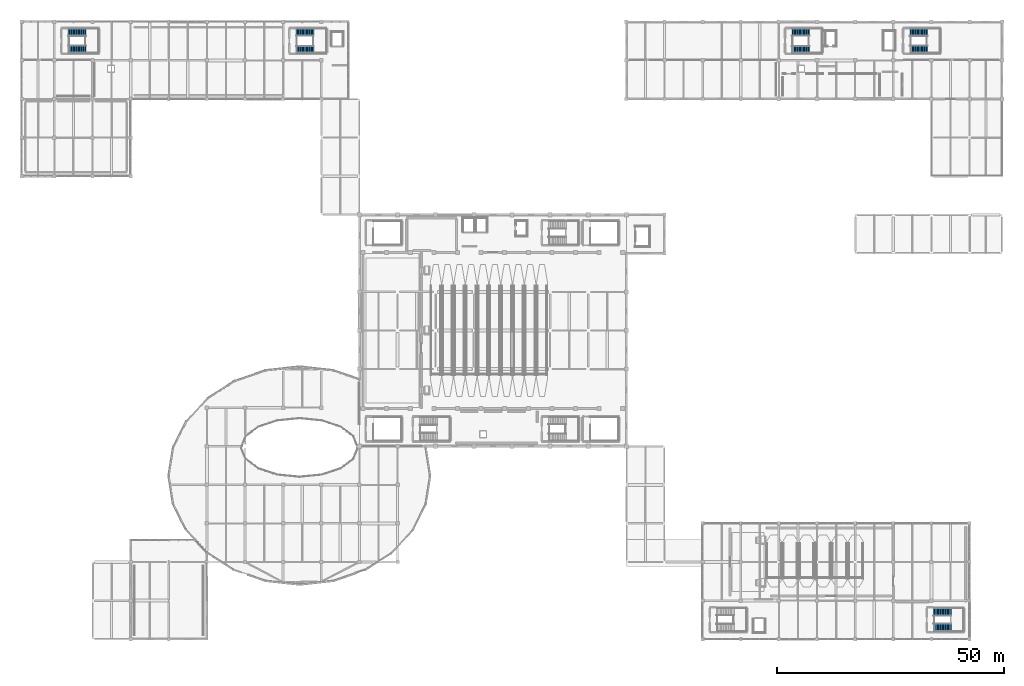
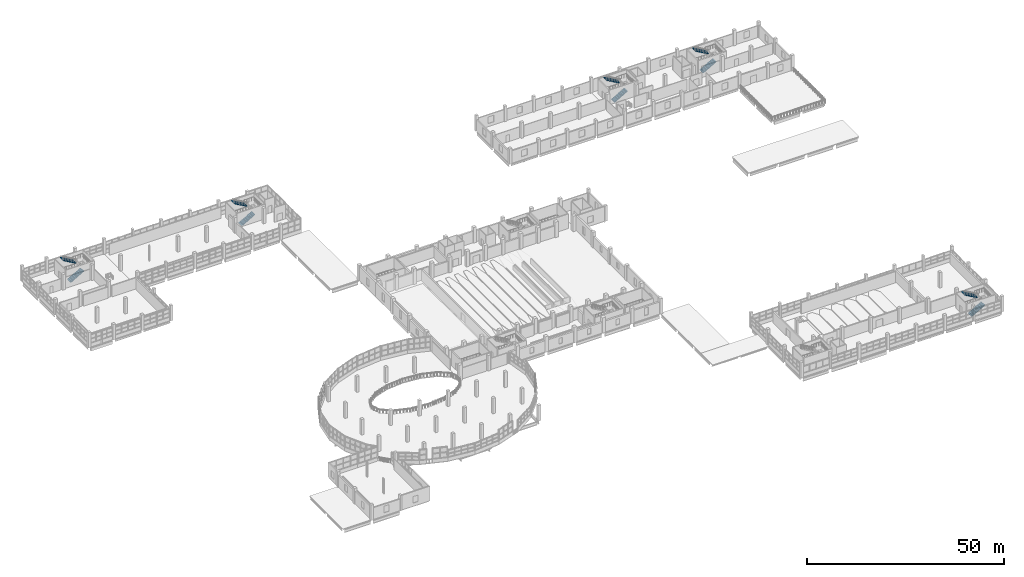
# One storey, part 109 of 117: 10 stair flights, 5 elements without a shape of their own.
"""IFC4 building model written with IfcOpenShell, lengths in metres."""

from ifc_helpers import new_model, si_unit, direction, frame, origin, place, context, subcontext, project, spatial, polyline, outline, extrude, material, type_object, element, aggregate, save


model = new_model("IFC4")

# Units and contexts
model_context = context("Model", 3, precision=1e-05, world=origin(), true_north=direction((0.0, 1.0)))
body_context = subcontext(model_context, "Body", "Model", "MODEL_VIEW")
ifc_project = project(units=[si_unit("LENGTHUNIT", "METRE"), si_unit("AREAUNIT", "SQUARE_METRE"), si_unit("VOLUMEUNIT", "CUBIC_METRE"), si_unit("PLANEANGLEUNIT", "RADIAN"), si_unit("MASSUNIT", "GRAM", prefix="KILO")], contexts=[model_context])

# Site, building, storey
site_placement = place(None, origin())
site = spatial("IfcSite", under=ifc_project, at=site_placement, CompositionType="ELEMENT")
building_placement = place(site_placement, origin())
building = spatial("IfcBuilding", under=site, at=building_placement, Name="Solvento Point Concert Hall", CompositionType="ELEMENT")
storey_placement = place(building_placement, frame((0.0, 0.0, 5.39990234375)))
storey = spatial("IfcBuildingStorey", under=building, at=storey_placement, Name="L01", CompositionType="ELEMENT", Elevation=5.39990234375)

# Stair, stair flights
ifc_material_1 = material(Name="Concrete C35/45", Category="concrete")
stair_type_1 = type_object("IfcStairType", Name="CoreStair_1600", PredefinedType="HALF_TURN_STAIR", material=ifc_material_1)
stair_1_placement = place(storey_placement, origin())
stair_1 = element("IfcStair", 1, at=stair_1_placement, inside=storey, type_object=stair_type_1, Name="Protected exit stair ST-01 (L01 to L02)", PredefinedType="HALF_TURN_STAIR")
ifc_material_2 = material(Name="Concrete C35/45", Category="concrete")
stair_flight_type_1 = type_object("IfcStairFlightType", Name="StairFlight_1600", PredefinedType="STRAIGHT", material=ifc_material_2)
stair_flight_1_placement = place(storey_placement, frame((169.64990234375, 129.89990234375, 0.0), z_axis=(0.0, 0.0, 1.0), x_axis=(1.0, 0.0, 0.0)))
stair_flight_1 = element("IfcStairFlight", 2, at=stair_flight_1_placement, type_object=stair_flight_type_1, Name="Stair flight ST-01 L01 lower", NumberOfRisers=15, NumberOfTreads=14, PredefinedType="STRAIGHT", RiserHeight=0.16, TreadLength=0.28, context=body_context, shape_type="SweptSolid", body=[
    extrude(outline(polyline([(0.0, 0.0), (0.0, 0.159912109375), (0.280029296875, 0.159912109375), (0.280029296875, 0.320068359375), (0.56005859375, 0.320068359375), (0.56005859375, 0.47998046875), (0.840087890625, 0.47998046875), (0.840087890625, 0.639892578125), (1.1201171875, 0.639892578125), (1.1201171875, 0.800048828125), (1.39990234375, 0.800048828125), (1.39990234375, 0.9599609375), (1.679931640625, 0.9599609375), (1.679931640625, 1.1201171875), (1.9599609375, 1.1201171875), (1.9599609375, 1.280029296875), (2.239990234375, 1.280029296875), (2.239990234375, 1.43994140625), (2.52001953125, 1.43994140625), (2.52001953125, 1.60009765625), (2.800048828125, 1.60009765625), (2.800048828125, 1.760009765625), (3.080078125, 1.760009765625), (3.080078125, 1.919921875), (3.360107421875, 1.919921875), (3.360107421875, 2.080078125), (3.639892578125, 2.080078125), (3.639892578125, 2.239990234375), (3.919921875, 2.239990234375), (3.919921875, 2.39990234375), (3.919921875, 2.03271484375), (0.362548828125, 0.0), (0.0, 0.0)])), frame((0.0, 0.800048828125, 0.0), z_axis=(0.0, -1.0, 0.0), x_axis=(1.0, 0.0, 0.0)), (0.0, 0.0, 1.0), 1.60009765625),
])
stair_flight_2_placement = place(storey_placement, frame((173.570068359375, 133.699951171875, 2.400146484375), z_axis=(0.0, 0.0, 1.0), x_axis=(-1.0, 0.0, 0.0)))
stair_flight_2 = element("IfcStairFlight", 3, at=stair_flight_2_placement, type_object=stair_flight_type_1, Name="Stair flight ST-01 L01 upper", NumberOfRisers=15, NumberOfTreads=14, PredefinedType="STRAIGHT", RiserHeight=0.16, TreadLength=0.28, context=body_context, shape_type="SweptSolid", body=[
    extrude(outline(polyline([(0.0, 0.0), (0.0, 0.159912109375), (0.280029296875, 0.159912109375), (0.280029296875, 0.320068359375), (0.56005859375, 0.320068359375), (0.56005859375, 0.47998046875), (0.840087890625, 0.47998046875), (0.840087890625, 0.639892578125), (1.1201171875, 0.639892578125), (1.1201171875, 0.800048828125), (1.39990234375, 0.800048828125), (1.39990234375, 0.9599609375), (1.679931640625, 0.9599609375), (1.679931640625, 1.1201171875), (1.9599609375, 1.1201171875), (1.9599609375, 1.280029296875), (2.239990234375, 1.280029296875), (2.239990234375, 1.43994140625), (2.52001953125, 1.43994140625), (2.52001953125, 1.60009765625), (2.800048828125, 1.60009765625), (2.800048828125, 1.760009765625), (3.080078125, 1.760009765625), (3.080078125, 1.919921875), (3.360107421875, 1.919921875), (3.360107421875, 2.080078125), (3.639892578125, 2.080078125), (3.639892578125, 2.239990234375), (3.919921875, 2.239990234375), (3.919921875, 2.39990234375), (3.919921875, 2.03271484375), (0.362548828125, 0.0), (0.0, 0.0)])), frame((0.0, 0.800048828125, 0.0), z_axis=(0.0, -1.0, 0.0), x_axis=(1.0, 0.0, 0.0)), (0.0, 0.0, 1.0), 1.60009765625),
])
aggregate(stair_1, [stair_flight_1, stair_flight_2])

stair_2_placement = place(storey_placement, origin())
stair_2 = element("IfcStair", 4, at=stair_2_placement, inside=storey, type_object=stair_type_1, Name="Protected exit stair ST-04 (L01 to L02)", PredefinedType="HALF_TURN_STAIR")
stair_flight_3_placement = place(storey_placement, frame((60.449951171875, 129.89990234375, 0.0), z_axis=(0.0, 0.0, 1.0), x_axis=(1.0, 0.0, 0.0)))
stair_flight_3 = element("IfcStairFlight", 5, at=stair_flight_3_placement, type_object=stair_flight_type_1, Name="Stair flight ST-04 L01 lower", NumberOfRisers=15, NumberOfTreads=14, PredefinedType="STRAIGHT", RiserHeight=0.16, TreadLength=0.28, context=body_context, shape_type="SweptSolid", body=[
    extrude(outline(polyline([(0.0, 0.0), (0.0, 0.159912109375), (0.280029296875, 0.159912109375), (0.280029296875, 0.320068359375), (0.56005859375, 0.320068359375), (0.56005859375, 0.47998046875), (0.840087890625, 0.47998046875), (0.840087890625, 0.639892578125), (1.1201171875, 0.639892578125), (1.1201171875, 0.800048828125), (1.39990234375, 0.800048828125), (1.39990234375, 0.9599609375), (1.679931640625, 0.9599609375), (1.679931640625, 1.1201171875), (1.9599609375, 1.1201171875), (1.9599609375, 1.280029296875), (2.239990234375, 1.280029296875), (2.239990234375, 1.43994140625), (2.52001953125, 1.43994140625), (2.52001953125, 1.60009765625), (2.800048828125, 1.60009765625), (2.800048828125, 1.760009765625), (3.080078125, 1.760009765625), (3.080078125, 1.919921875), (3.360107421875, 1.919921875), (3.360107421875, 2.080078125), (3.639892578125, 2.080078125), (3.639892578125, 2.239990234375), (3.919921875, 2.239990234375), (3.919921875, 2.39990234375), (3.919921875, 2.03271484375), (0.362548828125, 0.0), (0.0, 0.0)])), frame((0.0, 0.800048828125, 0.0), z_axis=(0.0, -1.0, 0.0), x_axis=(1.0, 0.0, 0.0)), (0.0, 0.0, 1.0), 1.60009765625),
])
stair_flight_4_placement = place(storey_placement, frame((64.3701171875, 133.699951171875, 2.400146484375), z_axis=(0.0, 0.0, 1.0), x_axis=(-1.0, 0.0, 0.0)))
stair_flight_4 = element("IfcStairFlight", 6, at=stair_flight_4_placement, type_object=stair_flight_type_1, Name="Stair flight ST-04 L01 upper", NumberOfRisers=15, NumberOfTreads=14, PredefinedType="STRAIGHT", RiserHeight=0.16, TreadLength=0.28, context=body_context, shape_type="SweptSolid", body=[
    extrude(outline(polyline([(0.0, 0.0), (0.0, 0.159912109375), (0.280029296875, 0.159912109375), (0.280029296875, 0.320068359375), (0.56005859375, 0.320068359375), (0.56005859375, 0.47998046875), (0.840087890625, 0.47998046875), (0.840087890625, 0.639892578125), (1.1201171875, 0.639892578125), (1.1201171875, 0.800048828125), (1.39990234375, 0.800048828125), (1.39990234375, 0.9599609375), (1.679931640625, 0.9599609375), (1.679931640625, 1.1201171875), (1.9599609375, 1.1201171875), (1.9599609375, 1.280029296875), (2.239990234375, 1.280029296875), (2.239990234375, 1.43994140625), (2.52001953125, 1.43994140625), (2.52001953125, 1.60009765625), (2.800048828125, 1.60009765625), (2.800048828125, 1.760009765625), (3.080078125, 1.760009765625), (3.080078125, 1.919921875), (3.360107421875, 1.919921875), (3.360107421875, 2.080078125), (3.639892578125, 2.080078125), (3.639892578125, 2.239990234375), (3.919921875, 2.239990234375), (3.919921875, 2.39990234375), (3.919921875, 2.03271484375), (0.362548828125, 0.0), (0.0, 0.0)])), frame((0.0, 0.800048828125, 0.0), z_axis=(0.0, -1.0, 0.0), x_axis=(1.0, 0.0, 0.0)), (0.0, 0.0, 1.0), 1.60009765625),
])
aggregate(stair_2, [stair_flight_3, stair_flight_4])

ifc_material_3 = material(Name="Concrete C35/45", Category="concrete")
stair_type_2 = type_object("IfcStairType", Name="CoreStair_1680", PredefinedType="HALF_TURN_STAIR", material=ifc_material_3)
stair_3_placement = place(storey_placement, origin())
stair_3 = element("IfcStair", 7, at=stair_3_placement, inside=storey, type_object=stair_type_2, Name="Protected exit stair ST-02 (L01 to L02)", PredefinedType="HALF_TURN_STAIR")
ifc_material_4 = material(Name="Concrete C35/45", Category="concrete")
stair_flight_type_2 = type_object("IfcStairFlightType", Name="StairFlight_1680", PredefinedType="STRAIGHT", material=ifc_material_4)
stair_flight_5_placement = place(storey_placement, frame((195.64990234375, 129.93994140625, 0.0), z_axis=(0.0, 0.0, 1.0), x_axis=(1.0, 0.0, 0.0)))
stair_flight_5 = element("IfcStairFlight", 8, at=stair_flight_5_placement, type_object=stair_flight_type_2, Name="Stair flight ST-02 L01 lower", NumberOfRisers=15, NumberOfTreads=14, PredefinedType="STRAIGHT", RiserHeight=0.16, TreadLength=0.28, context=body_context, shape_type="SweptSolid", body=[
    extrude(outline(polyline([(0.0, 0.0), (0.0, 0.159912109375), (0.280029296875, 0.159912109375), (0.280029296875, 0.320068359375), (0.56005859375, 0.320068359375), (0.56005859375, 0.47998046875), (0.840087890625, 0.47998046875), (0.840087890625, 0.639892578125), (1.1201171875, 0.639892578125), (1.1201171875, 0.800048828125), (1.39990234375, 0.800048828125), (1.39990234375, 0.9599609375), (1.679931640625, 0.9599609375), (1.679931640625, 1.1201171875), (1.9599609375, 1.1201171875), (1.9599609375, 1.280029296875), (2.239990234375, 1.280029296875), (2.239990234375, 1.43994140625), (2.52001953125, 1.43994140625), (2.52001953125, 1.60009765625), (2.800048828125, 1.60009765625), (2.800048828125, 1.760009765625), (3.080078125, 1.760009765625), (3.080078125, 1.919921875), (3.360107421875, 1.919921875), (3.360107421875, 2.080078125), (3.639892578125, 2.080078125), (3.639892578125, 2.239990234375), (3.919921875, 2.239990234375), (3.919921875, 2.39990234375), (3.919921875, 2.03271484375), (0.362548828125, 0.0), (0.0, 0.0)])), frame((0.0, 0.83984375, 0.0), z_axis=(0.0, -1.0, 0.0), x_axis=(1.0, 0.0, 0.0)), (0.0, 0.0, 1.0), 1.679931640625),
])
stair_flight_6_placement = place(storey_placement, frame((199.570068359375, 133.659912109375, 2.400146484375), z_axis=(0.0, 0.0, 1.0), x_axis=(-1.0, 0.0, 0.0)))
stair_flight_6 = element("IfcStairFlight", 9, at=stair_flight_6_placement, type_object=stair_flight_type_2, Name="Stair flight ST-02 L01 upper", NumberOfRisers=15, NumberOfTreads=14, PredefinedType="STRAIGHT", RiserHeight=0.16, TreadLength=0.28, context=body_context, shape_type="SweptSolid", body=[
    extrude(outline(polyline([(0.0, 0.0), (0.0, 0.159912109375), (0.280029296875, 0.159912109375), (0.280029296875, 0.320068359375), (0.56005859375, 0.320068359375), (0.56005859375, 0.47998046875), (0.840087890625, 0.47998046875), (0.840087890625, 0.639892578125), (1.1201171875, 0.639892578125), (1.1201171875, 0.800048828125), (1.39990234375, 0.800048828125), (1.39990234375, 0.9599609375), (1.679931640625, 0.9599609375), (1.679931640625, 1.1201171875), (1.9599609375, 1.1201171875), (1.9599609375, 1.280029296875), (2.239990234375, 1.280029296875), (2.239990234375, 1.43994140625), (2.52001953125, 1.43994140625), (2.52001953125, 1.60009765625), (2.800048828125, 1.60009765625), (2.800048828125, 1.760009765625), (3.080078125, 1.760009765625), (3.080078125, 1.919921875), (3.360107421875, 1.919921875), (3.360107421875, 2.080078125), (3.639892578125, 2.080078125), (3.639892578125, 2.239990234375), (3.919921875, 2.239990234375), (3.919921875, 2.39990234375), (3.919921875, 2.03271484375), (0.362548828125, 0.0), (0.0, 0.0)])), frame((0.0, 0.83984375, 0.0), z_axis=(0.0, -1.0, 0.0), x_axis=(1.0, 0.0, 0.0)), (0.0, 0.0, 1.0), 1.679931640625),
])
aggregate(stair_3, [stair_flight_5, stair_flight_6])

stair_4_placement = place(storey_placement, origin())
stair_4 = element("IfcStair", 10, at=stair_4_placement, inside=storey, type_object=stair_type_2, Name="Protected exit stair ST-05 (L01 to L02)", PredefinedType="HALF_TURN_STAIR")
stair_flight_7_placement = place(storey_placement, frame((10.25, 129.93994140625, 0.0), z_axis=(0.0, 0.0, 1.0), x_axis=(1.0, 0.0, 0.0)))
stair_flight_7 = element("IfcStairFlight", 11, at=stair_flight_7_placement, type_object=stair_flight_type_2, Name="Stair flight ST-05 L01 lower", NumberOfRisers=15, NumberOfTreads=14, PredefinedType="STRAIGHT", RiserHeight=0.16, TreadLength=0.28, context=body_context, shape_type="SweptSolid", body=[
    extrude(outline(polyline([(0.0, 0.0), (0.0, 0.159912109375), (0.280029296875, 0.159912109375), (0.280029296875, 0.320068359375), (0.56005859375, 0.320068359375), (0.56005859375, 0.47998046875), (0.840087890625, 0.47998046875), (0.840087890625, 0.639892578125), (1.1201171875, 0.639892578125), (1.1201171875, 0.800048828125), (1.39990234375, 0.800048828125), (1.39990234375, 0.9599609375), (1.679931640625, 0.9599609375), (1.679931640625, 1.1201171875), (1.9599609375, 1.1201171875), (1.9599609375, 1.280029296875), (2.239990234375, 1.280029296875), (2.239990234375, 1.43994140625), (2.52001953125, 1.43994140625), (2.52001953125, 1.60009765625), (2.800048828125, 1.60009765625), (2.800048828125, 1.760009765625), (3.080078125, 1.760009765625), (3.080078125, 1.919921875), (3.360107421875, 1.919921875), (3.360107421875, 2.080078125), (3.639892578125, 2.080078125), (3.639892578125, 2.239990234375), (3.919921875, 2.239990234375), (3.919921875, 2.39990234375), (3.919921875, 2.03271484375), (0.362548828125, 0.0), (0.0, 0.0)])), frame((0.0, 0.83984375, 0.0), z_axis=(0.0, -1.0, 0.0), x_axis=(1.0, 0.0, 0.0)), (0.0, 0.0, 1.0), 1.679931640625),
])
stair_flight_8_placement = place(storey_placement, frame((14.169921875, 133.659912109375, 2.400146484375), z_axis=(0.0, 0.0, 1.0), x_axis=(-1.0, 0.0, 0.0)))
stair_flight_8 = element("IfcStairFlight", 12, at=stair_flight_8_placement, type_object=stair_flight_type_2, Name="Stair flight ST-05 L01 upper", NumberOfRisers=15, NumberOfTreads=14, PredefinedType="STRAIGHT", RiserHeight=0.16, TreadLength=0.28, context=body_context, shape_type="SweptSolid", body=[
    extrude(outline(polyline([(0.0, 0.0), (0.0, 0.159912109375), (0.280029296875, 0.159912109375), (0.280029296875, 0.320068359375), (0.56005859375, 0.320068359375), (0.56005859375, 0.47998046875), (0.840087890625, 0.47998046875), (0.840087890625, 0.639892578125), (1.1201171875, 0.639892578125), (1.1201171875, 0.800048828125), (1.39990234375, 0.800048828125), (1.39990234375, 0.9599609375), (1.679931640625, 0.9599609375), (1.679931640625, 1.1201171875), (1.9599609375, 1.1201171875), (1.9599609375, 1.280029296875), (2.239990234375, 1.280029296875), (2.239990234375, 1.43994140625), (2.52001953125, 1.43994140625), (2.52001953125, 1.60009765625), (2.800048828125, 1.60009765625), (2.800048828125, 1.760009765625), (3.080078125, 1.760009765625), (3.080078125, 1.919921875), (3.360107421875, 1.919921875), (3.360107421875, 2.080078125), (3.639892578125, 2.080078125), (3.639892578125, 2.239990234375), (3.919921875, 2.239990234375), (3.919921875, 2.39990234375), (3.919921875, 2.03271484375), (0.362548828125, 0.0), (0.0, 0.0)])), frame((0.0, 0.83984375, 0.0), z_axis=(0.0, -1.0, 0.0), x_axis=(1.0, 0.0, 0.0)), (0.0, 0.0, 1.0), 1.679931640625),
])
aggregate(stair_4, [stair_flight_7, stair_flight_8])

ifc_material_5 = material(Name="Concrete C35/45", Category="concrete")
stair_type_3 = type_object("IfcStairType", Name="CoreStair_1760", PredefinedType="HALF_TURN_STAIR", material=ifc_material_5)
stair_5_placement = place(storey_placement, origin())
stair_5 = element("IfcStair", 13, at=stair_5_placement, inside=storey, type_object=stair_type_3, Name="Protected exit stair ST-09 (L01 to L02)", PredefinedType="HALF_TURN_STAIR")
ifc_material_6 = material(Name="Concrete C35/45", Category="concrete")
stair_flight_type_3 = type_object("IfcStairFlightType", Name="StairFlight_1760", PredefinedType="STRAIGHT", material=ifc_material_6)
stair_flight_9_placement = place(storey_placement, frame((200.85009765625, 2.580078125, 0.0), z_axis=(0.0, 0.0, 1.0), x_axis=(1.0, 0.0, 0.0)))
stair_flight_9 = element("IfcStairFlight", 14, at=stair_flight_9_placement, type_object=stair_flight_type_3, Name="Stair flight ST-09 L01 lower", NumberOfRisers=15, NumberOfTreads=14, PredefinedType="STRAIGHT", RiserHeight=0.16, TreadLength=0.28, context=body_context, shape_type="SweptSolid", body=[
    extrude(outline(polyline([(0.0, 0.0), (0.0, 0.159912109375), (0.280029296875, 0.159912109375), (0.280029296875, 0.320068359375), (0.56005859375, 0.320068359375), (0.56005859375, 0.47998046875), (0.840087890625, 0.47998046875), (0.840087890625, 0.639892578125), (1.1201171875, 0.639892578125), (1.1201171875, 0.800048828125), (1.39990234375, 0.800048828125), (1.39990234375, 0.9599609375), (1.679931640625, 0.9599609375), (1.679931640625, 1.1201171875), (1.9599609375, 1.1201171875), (1.9599609375, 1.280029296875), (2.239990234375, 1.280029296875), (2.239990234375, 1.43994140625), (2.52001953125, 1.43994140625), (2.52001953125, 1.60009765625), (2.800048828125, 1.60009765625), (2.800048828125, 1.760009765625), (3.080078125, 1.760009765625), (3.080078125, 1.919921875), (3.360107421875, 1.919921875), (3.360107421875, 2.080078125), (3.639892578125, 2.080078125), (3.639892578125, 2.239990234375), (3.919921875, 2.239990234375), (3.919921875, 2.39990234375), (3.919921875, 2.03271484375), (0.362548828125, 0.0), (0.0, 0.0)])), frame((0.0, 0.8798828125, 0.0), z_axis=(0.0, -1.0, 0.0), x_axis=(1.0, 0.0, 0.0)), (0.0, 0.0, 1.0), 1.760009765625),
])
stair_flight_10_placement = place(storey_placement, frame((204.77001953125, 6.02001953125, 2.400146484375), z_axis=(0.0, 0.0, 1.0), x_axis=(-1.0, 0.0, 0.0)))
stair_flight_10 = element("IfcStairFlight", 15, at=stair_flight_10_placement, type_object=stair_flight_type_3, Name="Stair flight ST-09 L01 upper", NumberOfRisers=15, NumberOfTreads=14, PredefinedType="STRAIGHT", RiserHeight=0.16, TreadLength=0.28, context=body_context, shape_type="SweptSolid", body=[
    extrude(outline(polyline([(0.0, 0.0), (0.0, 0.159912109375), (0.280029296875, 0.159912109375), (0.280029296875, 0.320068359375), (0.56005859375, 0.320068359375), (0.56005859375, 0.47998046875), (0.840087890625, 0.47998046875), (0.840087890625, 0.639892578125), (1.1201171875, 0.639892578125), (1.1201171875, 0.800048828125), (1.39990234375, 0.800048828125), (1.39990234375, 0.9599609375), (1.679931640625, 0.9599609375), (1.679931640625, 1.1201171875), (1.9599609375, 1.1201171875), (1.9599609375, 1.280029296875), (2.239990234375, 1.280029296875), (2.239990234375, 1.43994140625), (2.52001953125, 1.43994140625), (2.52001953125, 1.60009765625), (2.800048828125, 1.60009765625), (2.800048828125, 1.760009765625), (3.080078125, 1.760009765625), (3.080078125, 1.919921875), (3.360107421875, 1.919921875), (3.360107421875, 2.080078125), (3.639892578125, 2.080078125), (3.639892578125, 2.239990234375), (3.919921875, 2.239990234375), (3.919921875, 2.39990234375), (3.919921875, 2.03271484375), (0.362548828125, 0.0), (0.0, 0.0)])), frame((0.0, 0.8798828125, 0.0), z_axis=(0.0, -1.0, 0.0), x_axis=(1.0, 0.0, 0.0)), (0.0, 0.0, 1.0), 1.760009765625),
])
aggregate(stair_5, [stair_flight_9, stair_flight_10])

save(model, "model.ifc")
